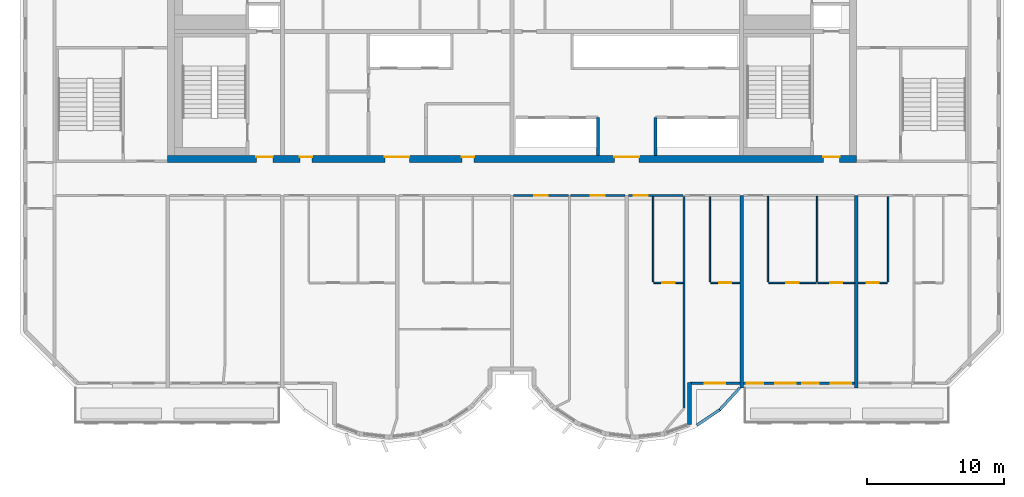
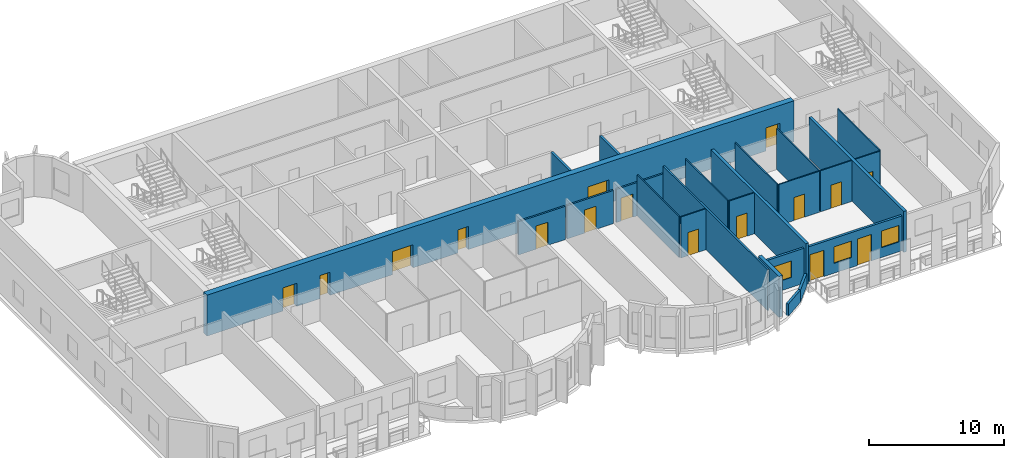
# One storey, part 5 of 12: 24 walls, 16 doors, 3 windows, 19 openings.
"""IFC4 building model written with IfcOpenShell, lengths in metres."""

from ifc_helpers import new_model, si_unit, direction, frame, frame_2d, origin, place, context, subcontext, project, spatial, rectangle, extrude, source, transform, mapped, material, layer, layer_set, type_object, element, fill, save


model = new_model("IFC4")

# Units and contexts
model_context = context("Model", 3, precision=1e-05, world=origin(), true_north=direction((0.0, 1.0)))
body_context = subcontext(model_context, "Body", "Model", "MODEL_VIEW")
ifc_project = project(units=[si_unit("LENGTHUNIT", "METRE"), si_unit("AREAUNIT", "SQUARE_METRE"), si_unit("VOLUMEUNIT", "CUBIC_METRE"), si_unit("PLANEANGLEUNIT", "RADIAN"), si_unit("MASSUNIT", "GRAM", prefix="KILO")], contexts=[model_context])

# Site, building, storey
site_placement = place(None, origin())
site = spatial("IfcSite", under=ifc_project, at=site_placement, CompositionType="ELEMENT")
building_placement = place(site_placement, origin())
building = spatial("IfcBuilding", under=site, at=building_placement, Name="Vanashikhar Sky Hotel", CompositionType="ELEMENT")
storey_placement = place(building_placement, frame((0.0, 0.0, 313.699951171875)))
storey = spatial("IfcBuildingStorey", under=building, at=storey_placement, Name="L75", CompositionType="ELEMENT", Elevation=313.699951171875)

# Wall, openings, doors
ifc_material_1 = material(Name="Concrete M50", Category="concrete")
ifc_layer_1 = layer(ifc_material_1, 0.5)
ifc_layer_set_1 = layer_set([ifc_layer_1], Name="RC core shell wall 500 Concrete M50")
wall_type_1 = type_object("IfcWallType", Name="RC core shell wall 500 Concrete M50", PredefinedType="SHEAR", material=ifc_layer_set_1)
shared_shape_1 = source(origin(), body_context, "Body", "SweptSolid", [
    extrude(rectangle(XDim=50.400146484375, YDim=0.5, at=frame_2d((25.2001953125, 0.0))), origin(), (0.0, 0.0, 1.0), 3.719970703125),
])
wall_1_placement = place(storey_placement, frame((25.199951171875, 22.25, 0.0), z_axis=(0.0, 0.0, 1.0), x_axis=(1.0, 0.0, 0.0)))
wall_1 = element("IfcWall", 1, at=wall_1_placement, inside=storey, type_object=wall_type_1, Name="KW-L75-KS", PredefinedType="SHEAR", context=body_context, shape_type="MappedRepresentation", body=[
    mapped(shared_shape_1, transform((0.0, 0.0, 0.0), scale=1.0)),
])
shared_shape_2 = source(origin(), body_context, "Body", "SweptSolid", [
    extrude(rectangle(XDim=1.800048828125, YDim=2.10009765625, at=frame_2d((0.89990234375, 1.050048828125))), frame((0.0, 0.260009765625, 0.0), z_axis=(0.0, -1.0, 0.0), x_axis=(1.0, 0.0, 0.0)), (0.0, 0.0, 1.0), 0.52001953125),
])
opening_1_placement = place(wall_1_placement, frame((15.89990234375, 0.0, 0.0)))
opening_1 = element("IfcOpeningElement", 2, at=opening_1_placement, cuts=wall_1, Name="Opening DC-3-A", PredefinedType="OPENING", context=body_context, shape_type="MappedRepresentation", body=[
    mapped(shared_shape_2, transform((0.0, 0.0, 0.0), scale=1.0)),
])
shared_shape_3 = source(origin(), body_context, "Body", "SweptSolid", [
    extrude(rectangle(XDim=0.89990234375, YDim=2.10009765625, at=frame_2d((0.449951171875, 1.050048828125))), frame((0.0, 0.260009765625, 0.0), z_axis=(0.0, -1.0, 0.0), x_axis=(1.0, 0.0, 0.0)), (0.0, 0.0, 1.0), 0.52001953125),
])
opening_2_placement = place(wall_1_placement, frame((9.675048828125, 0.0, 0.0)))
opening_2 = element("IfcOpeningElement", 3, at=opening_2_placement, cuts=wall_1, Name="Opening DC-4-A", PredefinedType="OPENING", context=body_context, shape_type="MappedRepresentation", body=[
    mapped(shared_shape_3, transform((0.0, 0.0, 0.0), scale=1.0)),
])
opening_3_placement = place(wall_1_placement, frame((21.52490234375, 0.0, 0.0)))
opening_3 = element("IfcOpeningElement", 4, at=opening_3_placement, cuts=wall_1, Name="Opening DC-4-A", PredefinedType="OPENING", context=body_context, shape_type="MappedRepresentation", body=[
    mapped(shared_shape_3, transform((0.0, 0.0, 0.0), scale=1.0)),
])
opening_4_placement = place(wall_1_placement, frame((32.699951171875, 0.0, 0.0)))
opening_4 = element("IfcOpeningElement", 5, at=opening_4_placement, cuts=wall_1, Name="Opening DC-3-A", PredefinedType="OPENING", context=body_context, shape_type="MappedRepresentation", body=[
    mapped(shared_shape_2, transform((0.0, 0.0, 0.0), scale=1.0)),
])
shared_shape_4 = source(origin(), body_context, "Body", "SweptSolid", [
    extrude(rectangle(XDim=1.199951171875, YDim=2.10009765625, at=frame_2d((0.60009765625, 1.050048828125))), frame((0.0, 0.260009765625, 0.0), z_axis=(0.0, -1.0, 0.0), x_axis=(1.0, 0.0, 0.0)), (0.0, 0.0, 1.0), 0.52001953125),
])
opening_5_placement = place(wall_1_placement, frame((6.5, 0.0, 0.0)))
opening_5 = element("IfcOpeningElement", 6, at=opening_5_placement, cuts=wall_1, Name="Opening DC-2", PredefinedType="OPENING", context=body_context, shape_type="MappedRepresentation", body=[
    mapped(shared_shape_4, transform((0.0, 0.0, 0.0), scale=1.0)),
])
opening_6_placement = place(wall_1_placement, frame((47.97509765625, 0.0, 0.0)))
opening_6 = element("IfcOpeningElement", 7, at=opening_6_placement, cuts=wall_1, Name="Opening DC-2", PredefinedType="OPENING", context=body_context, shape_type="MappedRepresentation", body=[
    mapped(shared_shape_4, transform((0.0, 0.0, 0.0), scale=1.0)),
])
ifc_material_2 = material(Name="Steel", Category="steel")
door_type_1 = type_object("IfcDoorType", Name="Firefighting lobby door 1200 FD120", OperationType="NOTDEFINED", PredefinedType="DOOR", material=ifc_material_2)
shared_shape_5 = source(origin(), body_context, "Body", "SweptSolid", [
    extrude(rectangle(XDim=1.199951171875, YDim=2.10009765625, at=frame_2d((0.60009765625, 1.050048828125))), frame((0.0, 0.1748046875, 0.0), z_axis=(0.0, -1.0, 0.0), x_axis=(1.0, 0.0, 0.0)), (0.0, 0.0, 1.0), 0.050048828125),
])
door_1_placement = place(opening_5_placement, origin())
door_1 = element("IfcDoor", 8, at=door_1_placement, inside=storey, type_object=door_type_1, Name="Firefighting lobby door 1200 FD120", OperationType="SINGLE_SWING_RIGHT", OverallHeight=2.10009765625, OverallWidth=1.199951171875, PredefinedType="DOOR", context=body_context, shape_type="MappedRepresentation", body=[
    mapped(shared_shape_5, transform((0.0, 0.0, 0.0), scale=1.0)),
])
fill(opening_5, door_1)
door_2_placement = place(opening_6_placement, origin())
door_2 = element("IfcDoor", 9, at=door_2_placement, inside=storey, type_object=door_type_1, Name="Firefighting lobby door 1200 FD120", OperationType="SINGLE_SWING_LEFT", OverallHeight=2.10009765625, OverallWidth=1.199951171875, PredefinedType="DOOR", context=body_context, shape_type="MappedRepresentation", body=[
    mapped(shared_shape_5, transform((0.0, 0.0, 0.0), scale=1.0)),
])
fill(opening_6, door_2)
door_type_2 = type_object("IfcDoorType", Name="Service door 900 FD60", OperationType="NOTDEFINED", PredefinedType="DOOR", material=ifc_material_2)
shared_shape_6 = source(origin(), body_context, "Body", "SweptSolid", [
    extrude(rectangle(XDim=0.89990234375, YDim=2.10009765625, at=frame_2d((0.449951171875, 1.050048828125))), frame((0.0, 0.1748046875, 0.0), z_axis=(0.0, -1.0, 0.0), x_axis=(1.0, 0.0, 0.0)), (0.0, 0.0, 1.0), 0.050048828125),
])
door_3_placement = place(opening_2_placement, origin())
door_3 = element("IfcDoor", 10, at=door_3_placement, inside=storey, type_object=door_type_2, Name="Service door 900 FD60", OperationType="SINGLE_SWING_RIGHT", OverallHeight=2.10009765625, OverallWidth=0.89990234375, PredefinedType="DOOR", context=body_context, shape_type="MappedRepresentation", body=[
    mapped(shared_shape_6, transform((0.0, 0.0, 0.0), scale=1.0)),
])
fill(opening_2, door_3)
door_4_placement = place(opening_3_placement, origin())
door_4 = element("IfcDoor", 11, at=door_4_placement, inside=storey, type_object=door_type_2, Name="Service door 900 FD60", OperationType="SINGLE_SWING_RIGHT", OverallHeight=2.10009765625, OverallWidth=0.89990234375, PredefinedType="DOOR", context=body_context, shape_type="MappedRepresentation", body=[
    mapped(shared_shape_6, transform((0.0, 0.0, 0.0), scale=1.0)),
])
fill(opening_3, door_4)
ifc_material_3 = material(Name="Glass", Category="glass")
door_type_3 = type_object("IfcDoorType", Name="Lift lobby entrance door 1800 FD30S", OperationType="NOTDEFINED", PredefinedType="DOOR", material=ifc_material_3)
shared_shape_7 = source(origin(), body_context, "Body", "SweptSolid", [
    extrude(rectangle(XDim=1.800048828125, YDim=2.10009765625, at=frame_2d((0.89990234375, 1.050048828125))), frame((0.0, 0.1748046875, 0.0), z_axis=(0.0, -1.0, 0.0), x_axis=(1.0, 0.0, 0.0)), (0.0, 0.0, 1.0), 0.050048828125),
])
door_5_placement = place(opening_1_placement, origin())
door_5 = element("IfcDoor", 12, at=door_5_placement, inside=storey, type_object=door_type_3, Name="Lift lobby entrance door 1800 FD30S", OperationType="DOUBLE_DOOR_SINGLE_SWING", OverallHeight=2.10009765625, OverallWidth=1.800048828125, PredefinedType="DOOR", context=body_context, shape_type="MappedRepresentation", body=[
    mapped(shared_shape_7, transform((0.0, 0.0, 0.0), scale=1.0)),
])
fill(opening_1, door_5)
door_6_placement = place(opening_4_placement, origin())
door_6 = element("IfcDoor", 13, at=door_6_placement, inside=storey, type_object=door_type_3, Name="Lift lobby entrance door 1800 FD30S", OperationType="DOUBLE_DOOR_SINGLE_SWING", OverallHeight=2.10009765625, OverallWidth=1.800048828125, PredefinedType="DOOR", context=body_context, shape_type="MappedRepresentation", body=[
    mapped(shared_shape_7, transform((0.0, 0.0, 0.0), scale=1.0)),
])
fill(opening_4, door_6)

# Walls
ifc_layer_2 = layer(ifc_material_1, 0.25)
ifc_layer_set_2 = layer_set([ifc_layer_2], Name="RC shear wall 250 Concrete M50")
wall_type_2 = type_object("IfcWallType", Name="RC shear wall 250 Concrete M50", PredefinedType="SHEAR", material=ifc_layer_set_2)
shared_shape_8 = source(origin(), body_context, "Body", "SweptSolid", [
    extrude(rectangle(XDim=14.10009765625, YDim=0.25, at=frame_2d((7.050048828125, 0.0))), origin(), (0.0, 0.0, 1.0), 3.719970703125),
])
for number, where, z_axis, x_axis, name in (
    (14, (67.199951171875, 5.5, 0.0), (0.0, 0.0, 1.0), (0.0, 1.0, 0.0), "CW-L75-XW09-1"),
    (15, (75.60009765625, 5.5, 0.0), (0.0, 0.0, 1.0), (0.0, 1.0, 0.0), "CW-L75-XW10-1"),
):
    element("IfcWall", number, at=place(storey_placement, frame(where, z_axis=z_axis, x_axis=x_axis)), inside=storey, type_object=wall_type_2, Name=name, PredefinedType="SHEAR", context=body_context, shape_type="MappedRepresentation", body=[
        mapped(shared_shape_8, transform((0.0, 0.0, 0.0), scale=1.0)),
    ])

# Wall, openings, windows, doors
ifc_layer_3 = layer(ifc_material_1, 0.199951171875)
ifc_layer_set_3 = layer_set([ifc_layer_3], Name="Front window wall 200")
wall_type_3 = type_object("IfcWallType", Name="Front window wall 200", PredefinedType="SOLIDWALL", material=ifc_layer_set_3)
shared_shape_9 = source(origin(), body_context, "Body", "SweptSolid", [
    extrude(rectangle(XDim=8.150146484375, YDim=0.199951171875, at=frame_2d((4.0751953125, 0.0))), origin(), (0.0, 0.0, 1.0), 3.170166015625),
])
wall_2_placement = place(storey_placement, frame((67.324951171875, 5.85009765625, 0.0), z_axis=(0.0, 0.0, 1.0), x_axis=(1.0, 0.0, 0.0)))
wall_2 = element("IfcWall", 16, at=wall_2_placement, inside=storey, type_object=wall_type_3, Name="Front window wall", PredefinedType="SOLIDWALL", context=body_context, shape_type="MappedRepresentation", body=[
    mapped(shared_shape_9, transform((0.0, 0.0, 0.0), scale=1.0)),
])
shared_shape_10 = source(origin(), body_context, "Body", "SweptSolid", [
    extrude(rectangle(XDim=1.199951171875, YDim=2.39990234375, at=frame_2d((0.60009765625, 1.199951171875))), frame((0.0, 0.10986328125, 0.0), z_axis=(0.0, -1.0, 0.0), x_axis=(1.0, 0.0, 0.0)), (0.0, 0.0, 1.0), 0.219970703125),
])
opening_7_placement = place(wall_2_placement, frame((0.25, 0.0, 0.0)))
opening_7 = element("IfcOpeningElement", 17, at=opening_7_placement, cuts=wall_2, Name="Opening BD-03", PredefinedType="OPENING", context=body_context, shape_type="MappedRepresentation", body=[
    mapped(shared_shape_10, transform((0.0, 0.0, 0.0), scale=1.0)),
])
shared_shape_11 = source(origin(), body_context, "Body", "SweptSolid", [
    extrude(rectangle(XDim=1.5, YDim=1.5, at=frame_2d((0.75, 0.75))), frame((0.0, 0.10986328125, 0.0), z_axis=(0.0, -1.0, 0.0), x_axis=(1.0, 0.0, 0.0)), (0.0, 0.0, 1.0), 0.219970703125),
])
opening_8_placement = place(wall_2_placement, frame((2.324951171875, 0.0, 0.89990234375)))
opening_8 = element("IfcOpeningElement", 18, at=opening_8_placement, cuts=wall_2, Name="Opening WN-1", PredefinedType="OPENING", context=body_context, shape_type="MappedRepresentation", body=[
    mapped(shared_shape_11, transform((0.0, 0.0, 0.0), scale=1.0)),
])
opening_9_placement = place(wall_2_placement, frame((4.324951171875, 0.0, 0.0)))
opening_9 = element("IfcOpeningElement", 19, at=opening_9_placement, cuts=wall_2, Name="Opening BD-04", PredefinedType="OPENING", context=body_context, shape_type="MappedRepresentation", body=[
    mapped(shared_shape_10, transform((0.0, 0.0, 0.0), scale=1.0)),
])
opening_10_placement = place(wall_2_placement, frame((6.39990234375, 0.0, 0.89990234375)))
opening_10 = element("IfcOpeningElement", 20, at=opening_10_placement, cuts=wall_2, Name="Opening WN-1", PredefinedType="OPENING", context=body_context, shape_type="MappedRepresentation", body=[
    mapped(shared_shape_11, transform((0.0, 0.0, 0.0), scale=1.0)),
])
window_type = type_object("IfcWindowType", Name="Window 1500 x 1500", PartitioningType="SINGLE_PANEL", PredefinedType="WINDOW", material=ifc_material_3)
shared_shape_12 = source(origin(), body_context, "Body", "SweptSolid", [
    extrude(rectangle(XDim=1.5, YDim=1.5, at=frame_2d((0.75, 0.75))), frame((0.0, 0.030029296875, 0.0), z_axis=(0.0, -1.0, 0.0), x_axis=(1.0, 0.0, 0.0)), (0.0, 0.0, 1.0), 0.06005859375),
])
window_1_placement = place(opening_8_placement, origin())
window_1 = element("IfcWindow", 21, at=window_1_placement, inside=storey, type_object=window_type, Name="Window WN-1", OverallHeight=1.5, OverallWidth=1.5, PartitioningType="SINGLE_PANEL", PredefinedType="WINDOW", context=body_context, shape_type="MappedRepresentation", body=[
    mapped(shared_shape_12, transform((0.0, 0.0, 0.0), scale=1.0)),
])
fill(opening_8, window_1)
window_2_placement = place(opening_10_placement, origin())
window_2 = element("IfcWindow", 22, at=window_2_placement, inside=storey, type_object=window_type, Name="Window WN-1", OverallHeight=1.5, OverallWidth=1.5, PartitioningType="SINGLE_PANEL", PredefinedType="WINDOW", context=body_context, shape_type="MappedRepresentation", body=[
    mapped(shared_shape_12, transform((0.0, 0.0, 0.0), scale=1.0)),
])
fill(opening_10, window_2)
ifc_material_4 = material(Name="Aluminium", Category="aluminium")
door_type_4 = type_object("IfcDoorType", Name="Balcony sliding door 1200 x 2400", OperationType="NOTDEFINED", PredefinedType="DOOR", material=ifc_material_4)
shared_shape_13 = source(origin(), body_context, "Body", "SweptSolid", [
    extrude(rectangle(XDim=1.199951171875, YDim=2.39990234375, at=frame_2d((0.60009765625, 1.199951171875))), frame((0.0, 0.02490234375, 0.0), z_axis=(0.0, -1.0, 0.0), x_axis=(1.0, 0.0, 0.0)), (0.0, 0.0, 1.0), 0.050048828125),
])
door_7_placement = place(opening_7_placement, origin())
door_7 = element("IfcDoor", 23, at=door_7_placement, inside=storey, type_object=door_type_4, Name="Balcony sliding door", OperationType="SLIDING_TO_LEFT", OverallHeight=2.39990234375, OverallWidth=1.199951171875, PredefinedType="DOOR", context=body_context, shape_type="MappedRepresentation", body=[
    mapped(shared_shape_13, transform((0.0, 0.0, 0.0), scale=1.0)),
])
fill(opening_7, door_7)
door_8_placement = place(opening_9_placement, origin())
door_8 = element("IfcDoor", 24, at=door_8_placement, inside=storey, type_object=door_type_4, Name="Balcony sliding door", OperationType="SLIDING_TO_RIGHT", OverallHeight=2.39990234375, OverallWidth=1.199951171875, PredefinedType="DOOR", context=body_context, shape_type="MappedRepresentation", body=[
    mapped(shared_shape_13, transform((0.0, 0.0, 0.0), scale=1.0)),
])
fill(opening_9, door_8)

# Wall, opening, window
shared_shape_14 = source(origin(), body_context, "Body", "SweptSolid", [
    extrude(rectangle(XDim=3.641845703125, YDim=0.199951171875, at=frame_2d((1.82080078125, 0.0))), origin(), (0.0, 0.0, 1.0), 3.170166015625),
])
wall_3_placement = place(storey_placement, frame((63.43310546875, 5.85009765625, 0.0), z_axis=(0.0, 0.0, 1.0), x_axis=(1.0, 0.0, 0.0)))
wall_3 = element("IfcWall", 25, at=wall_3_placement, inside=storey, type_object=wall_type_3, Name="Front window wall", PredefinedType="SOLIDWALL", context=body_context, shape_type="MappedRepresentation", body=[
    mapped(shared_shape_14, transform((0.0, 0.0, 0.0), scale=1.0)),
])
opening_11_placement = place(wall_3_placement, frame((1.071044921875, 0.0, 0.89990234375)))
opening_11 = element("IfcOpeningElement", 26, at=opening_11_placement, cuts=wall_3, Name="Opening WN-1", PredefinedType="OPENING", context=body_context, shape_type="MappedRepresentation", body=[
    mapped(shared_shape_11, transform((0.0, 0.0, 0.0), scale=1.0)),
])
window_3_placement = place(opening_11_placement, origin())
window_3 = element("IfcWindow", 27, at=window_3_placement, inside=storey, type_object=window_type, Name="Window WN-1", OverallHeight=1.5, OverallWidth=1.5, PartitioningType="SINGLE_PANEL", PredefinedType="WINDOW", context=body_context, shape_type="MappedRepresentation", body=[
    mapped(shared_shape_12, transform((0.0, 0.0, 0.0), scale=1.0)),
])
fill(opening_11, window_3)

# Walls
ifc_layer_4 = layer(ifc_material_1, 0.300048828125)
ifc_layer_set_4 = layer_set([ifc_layer_4], Name="Lobe wall 300")
wall_type_4 = type_object("IfcWallType", Name="Lobe wall 300", PredefinedType="SOLIDWALL", material=ifc_layer_set_4)
shared_shape_15 = source(origin(), body_context, "Body", "SweptSolid", [
    extrude(rectangle(XDim=3.063720703125, YDim=0.300048828125, at=frame_2d((1.53173828125, 0.0))), origin(), (0.0, 0.0, 1.0), 3.719970703125),
])
wall_4_placement = place(storey_placement, frame((63.383056640625, 2.836181640625, 0.0), z_axis=(0.0, 0.0, 1.0), x_axis=(0.0, 1.0, 0.0)))
element("IfcWall", 28, at=wall_4_placement, inside=storey, type_object=wall_type_4, Name="Lobe end wall", PredefinedType="SOLIDWALL", context=body_context, shape_type="MappedRepresentation", body=[
    mapped(shared_shape_15, transform((0.0, 0.0, 0.0), scale=1.0)),
])
ifc_layer_5 = layer(ifc_material_1, 0.199951171875)
ifc_layer_set_5 = layer_set([ifc_layer_5], Name="Parapet 200")
wall_type_5 = type_object("IfcWallType", Name="Parapet 200", PredefinedType="PARAPET", material=ifc_layer_set_5)
shared_shape_16 = source(origin(), body_context, "Body", "SweptSolid", [
    extrude(rectangle(XDim=2.021728515625, YDim=0.199951171875, at=frame_2d((1.0107421875, 0.0))), origin(), (0.0, 0.0, 1.0), 1.10009765625),
])
wall_5_placement = place(storey_placement, frame((65.600341796875, 3.904296875, -0.050048828125), z_axis=(0.0, 0.0, 1.0), x_axis=(-0.829589899021, -0.558373172209, 0.0)))
element("IfcWall", 29, at=wall_5_placement, inside=storey, type_object=wall_type_5, Name="Roof parapet", PredefinedType="PARAPET", context=body_context, shape_type="MappedRepresentation", body=[
    mapped(shared_shape_16, transform((0.0, 0.0, 0.0), scale=1.0)),
])
shared_shape_17 = source(origin(), body_context, "Body", "SweptSolid", [
    extrude(rectangle(XDim=2.163818359375, YDim=0.199951171875, at=frame_2d((1.08203125, 0.0))), origin(), (0.0, 0.0, 1.0), 1.10009765625),
])
wall_6_placement = place(storey_placement, frame((67.0615234375, 5.500244140625, -0.050048828125), z_axis=(0.0, 0.0, 1.0), x_axis=(-0.675280003013, -0.737561466951, 0.0)))
element("IfcWall", 30, at=wall_6_placement, inside=storey, type_object=wall_type_5, Name="Roof parapet", PredefinedType="PARAPET", context=body_context, shape_type="MappedRepresentation", body=[
    mapped(shared_shape_17, transform((0.0, 0.0, 0.0), scale=1.0)),
])
ifc_material_5 = material(Name="Concrete M40", Category="concrete")
ifc_layer_6 = layer(ifc_material_5, 0.199951171875)
ifc_layer_set_6 = layer_set([ifc_layer_6], Name="Shaft wall 200")
wall_type_6 = type_object("IfcWallType", Name="Shaft wall 200", PredefinedType="SOLIDWALL", material=ifc_layer_set_6)
shared_shape_18 = source(origin(), body_context, "Body", "SweptSolid", [
    extrude(rectangle(XDim=2.800048828125, YDim=0.199951171875, at=frame_2d((1.39990234375, 0.0))), origin(), (0.0, 0.0, 1.0), 3.719970703125),
])
for number, where, z_axis, x_axis, name in (
    (31, (60.89990234375, 22.5, 0.0), (0.0, 0.0, 1.0), (0.0, 1.0, 0.0), "Shaft wall 200"),
    (32, (56.699951171875, 22.5, 0.0), (0.0, 0.0, 1.0), (0.0, 1.0, 0.0), "Shaft wall 200"),
):
    element("IfcWall", number, at=place(storey_placement, frame(where, z_axis=z_axis, x_axis=x_axis)), inside=storey, type_object=wall_type_6, Name=name, PredefinedType="SOLIDWALL", context=body_context, shape_type="MappedRepresentation", body=[
        mapped(shared_shape_18, transform((0.0, 0.0, 0.0), scale=1.0)),
    ])
ifc_material_6 = material(Name="Gypsum plasterboard partition")
ifc_layer_7 = layer(ifc_material_6, 0.10009765625)
ifc_layer_set_7 = layer_set([ifc_layer_7], Name="Wet room partition 100")
wall_type_7 = type_object("IfcWallType", Name="Wet room partition 100", PredefinedType="PARTITIONING", material=ifc_layer_set_7)
shared_shape_19 = source(origin(), body_context, "Body", "SweptSolid", [
    extrude(rectangle(XDim=6.25, YDim=0.10009765625, at=frame_2d((3.125, 0.0))), origin(), (0.0, 0.0, 1.0), 3.719970703125),
])
for number, where, z_axis, x_axis, name in (
    (33, (60.72509765625, 13.27490234375, 0.0), (0.0, 0.0, 1.0), (0.0, 1.0, 0.0), "W-L75-PW019"),
    (34, (64.875, 13.27490234375, 0.0), (0.0, 0.0, 1.0), (0.0, 1.0, 0.0), "W-L75-PW022"),
    (35, (69.125, 13.27490234375, 0.0), (0.0, 0.0, 1.0), (0.0, 1.0, 0.0), "W-L75-PW026"),
    (36, (72.72509765625, 13.27490234375, 0.0), (0.0, 0.0, 1.0), (0.0, 1.0, 0.0), "W-L75-PW027"),
    (37, (77.925048828125, 13.27490234375, 0.0), (0.0, 0.0, 1.0), (0.0, 1.0, 0.0), "W-L75-PW031"),
):
    element("IfcWall", number, at=place(storey_placement, frame(where, z_axis=z_axis, x_axis=x_axis)), inside=storey, type_object=wall_type_7, Name=name, PredefinedType="PARTITIONING", context=body_context, shape_type="MappedRepresentation", body=[
        mapped(shared_shape_19, transform((0.0, 0.0, 0.0), scale=1.0)),
    ])

# Wall, opening, door
shared_shape_20 = source(origin(), body_context, "Body", "SweptSolid", [
    extrude(rectangle(XDim=3.5, YDim=0.10009765625, at=frame_2d((1.75, 0.0))), origin(), (0.0, 0.0, 1.0), 3.719970703125),
])
wall_7_placement = place(storey_placement, frame((69.175048828125, 13.199951171875, 0.0), z_axis=(0.0, 0.0, 1.0), x_axis=(1.0, 0.0, 0.0)))
wall_7 = element("IfcWall", 38, at=wall_7_placement, inside=storey, type_object=wall_type_7, Name="W-L75-PW028", PredefinedType="PARTITIONING", context=body_context, shape_type="MappedRepresentation", body=[
    mapped(shared_shape_20, transform((0.0, 0.0, 0.0), scale=1.0)),
])
shared_shape_21 = source(origin(), body_context, "Body", "SweptSolid", [
    extrude(rectangle(XDim=0.89990234375, YDim=2.10009765625, at=frame_2d((0.449951171875, 1.050048828125))), frame((0.0, 0.06005859375, 0.0), z_axis=(0.0, -1.0, 0.0), x_axis=(1.0, 0.0, 0.0)), (0.0, 0.0, 1.0), 0.1201171875),
])
opening_12_placement = place(wall_7_placement, frame((1.300048828125, 0.0, 0.0)))
opening_12 = element("IfcOpeningElement", 39, at=opening_12_placement, cuts=wall_7, Name="Opening D-02", PredefinedType="OPENING", context=body_context, shape_type="MappedRepresentation", body=[
    mapped(shared_shape_21, transform((0.0, 0.0, 0.0), scale=1.0)),
])
ifc_material_7 = material(Name="Timber door", Category="wood")
door_type_5 = type_object("IfcDoorType", Name="Internal door 900", OperationType="NOTDEFINED", PredefinedType="DOOR", material=ifc_material_7)
shared_shape_22 = source(origin(), body_context, "Body", "SweptSolid", [
    extrude(rectangle(XDim=0.89990234375, YDim=2.10009765625, at=frame_2d((0.449951171875, 1.050048828125))), frame((0.0, 0.02490234375, 0.0), z_axis=(0.0, -1.0, 0.0), x_axis=(1.0, 0.0, 0.0)), (0.0, 0.0, 1.0), 0.050048828125),
])
door_9_placement = place(opening_12_placement, origin())
door_9 = element("IfcDoor", 40, at=door_9_placement, inside=storey, type_object=door_type_5, Name="D-L75-017", OperationType="SINGLE_SWING_LEFT", OverallHeight=2.10009765625, OverallWidth=0.89990234375, PredefinedType="DOOR", context=body_context, shape_type="MappedRepresentation", body=[
    mapped(shared_shape_22, transform((0.0, 0.0, 0.0), scale=1.0)),
])
fill(opening_12, door_9)

shared_shape_23 = source(origin(), body_context, "Body", "SweptSolid", [
    extrude(rectangle(XDim=2.7001953125, YDim=0.10009765625, at=frame_2d((1.35009765625, 0.0))), origin(), (0.0, 0.0, 1.0), 3.719970703125),
])
wall_8_placement = place(storey_placement, frame((72.77490234375, 13.199951171875, 0.0), z_axis=(0.0, 0.0, 1.0), x_axis=(1.0, 0.0, 0.0)))
wall_8 = element("IfcWall", 41, at=wall_8_placement, inside=storey, type_object=wall_type_7, Name="W-L75-PW029", PredefinedType="PARTITIONING", context=body_context, shape_type="MappedRepresentation", body=[
    mapped(shared_shape_23, transform((0.0, 0.0, 0.0), scale=1.0)),
])
opening_13_placement = place(wall_8_placement, frame((0.89990234375, 0.0, 0.0)))
opening_13 = element("IfcOpeningElement", 42, at=opening_13_placement, cuts=wall_8, Name="Opening D-02", PredefinedType="OPENING", context=body_context, shape_type="MappedRepresentation", body=[
    mapped(shared_shape_21, transform((0.0, 0.0, 0.0), scale=1.0)),
])
door_10_placement = place(opening_13_placement, origin())
door_10 = element("IfcDoor", 43, at=door_10_placement, inside=storey, type_object=door_type_5, Name="D-L75-018", OperationType="SINGLE_SWING_LEFT", OverallHeight=2.10009765625, OverallWidth=0.89990234375, PredefinedType="DOOR", context=body_context, shape_type="MappedRepresentation", body=[
    mapped(shared_shape_22, transform((0.0, 0.0, 0.0), scale=1.0)),
])
fill(opening_13, door_10)

ifc_layer_8 = layer(ifc_material_6, 0.14990234375)
ifc_layer_set_8 = layer_set([ifc_layer_8], Name="Corridor and demising partition 150")
wall_type_8 = type_object("IfcWallType", Name="Corridor and demising partition 150", PredefinedType="PARTITIONING", material=ifc_layer_set_8)
shared_shape_24 = source(origin(), body_context, "Body", "SweptSolid", [
    extrude(rectangle(XDim=4.0, YDim=0.14990234375, at=frame_2d((2.0, 0.0))), origin(), (0.0, 0.0, 1.0), 3.02001953125),
])
wall_9_placement = place(storey_placement, frame((50.52490234375, 19.60009765625, 0.0), z_axis=(0.0, 0.0, 1.0), x_axis=(1.0, 0.0, 0.0)))
wall_9 = element("IfcWall", 44, at=wall_9_placement, inside=storey, type_object=wall_type_8, Name="W-L75-PW016", PredefinedType="PARTITIONING", context=body_context, shape_type="MappedRepresentation", body=[
    mapped(shared_shape_24, transform((0.0, 0.0, 0.0), scale=1.0)),
])
shared_shape_25 = source(origin(), body_context, "Body", "SweptSolid", [
    extrude(rectangle(XDim=1.0, YDim=2.10009765625, at=frame_2d((0.5, 1.050048828125))), frame((0.0, 0.0849609375, 0.0), z_axis=(0.0, -1.0, 0.0), x_axis=(1.0, 0.0, 0.0)), (0.0, 0.0, 1.0), 0.169921875),
])
opening_14_placement = place(wall_9_placement, frame((1.5, 0.0, 0.0)))
opening_14 = element("IfcOpeningElement", 45, at=opening_14_placement, cuts=wall_9, Name="Opening D-01", PredefinedType="OPENING", context=body_context, shape_type="MappedRepresentation", body=[
    mapped(shared_shape_25, transform((0.0, 0.0, 0.0), scale=1.0)),
])
ifc_material_8 = material(Name="Timber fire door", Category="wood")
door_type_6 = type_object("IfcDoorType", Name="Guest entry door 1000 FD30S", OperationType="NOTDEFINED", PredefinedType="DOOR", material=ifc_material_8)
shared_shape_26 = source(origin(), body_context, "Body", "SweptSolid", [
    extrude(rectangle(XDim=1.0, YDim=2.10009765625, at=frame_2d((0.5, 1.050048828125))), frame((0.0, 0.02490234375, 0.0), z_axis=(0.0, -1.0, 0.0), x_axis=(1.0, 0.0, 0.0)), (0.0, 0.0, 1.0), 0.050048828125),
])
door_11_placement = place(opening_14_placement, origin())
door_11 = element("IfcDoor", 46, at=door_11_placement, inside=storey, type_object=door_type_6, Name="D-L75-011", OperationType="SINGLE_SWING_LEFT", OverallHeight=2.10009765625, OverallWidth=1.0, PredefinedType="DOOR", context=body_context, shape_type="MappedRepresentation", body=[
    mapped(shared_shape_26, transform((0.0, 0.0, 0.0), scale=1.0)),
])
fill(opening_14, door_11)

wall_10_placement = place(storey_placement, frame((54.675048828125, 19.60009765625, 0.0), z_axis=(0.0, 0.0, 1.0), x_axis=(1.0, 0.0, 0.0)))
wall_10 = element("IfcWall", 47, at=wall_10_placement, inside=storey, type_object=wall_type_8, Name="W-L75-PW017", PredefinedType="PARTITIONING", context=body_context, shape_type="MappedRepresentation", body=[
    mapped(shared_shape_24, transform((0.0, 0.0, 0.0), scale=1.0)),
])
opening_15_placement = place(wall_10_placement, frame((1.5, 0.0, 0.0)))
opening_15 = element("IfcOpeningElement", 48, at=opening_15_placement, cuts=wall_10, Name="Opening D-01", PredefinedType="OPENING", context=body_context, shape_type="MappedRepresentation", body=[
    mapped(shared_shape_25, transform((0.0, 0.0, 0.0), scale=1.0)),
])
door_12_placement = place(opening_15_placement, origin())
door_12 = element("IfcDoor", 49, at=door_12_placement, inside=storey, type_object=door_type_6, Name="D-L75-012", OperationType="SINGLE_SWING_RIGHT", OverallHeight=2.10009765625, OverallWidth=1.0, PredefinedType="DOOR", context=body_context, shape_type="MappedRepresentation", body=[
    mapped(shared_shape_26, transform((0.0, 0.0, 0.0), scale=1.0)),
])
fill(opening_15, door_12)

wall_11_placement = place(storey_placement, frame((58.925048828125, 19.60009765625, 0.0), z_axis=(0.0, 0.0, 1.0), x_axis=(1.0, 0.0, 0.0)))
wall_11 = element("IfcWall", 50, at=wall_11_placement, inside=storey, type_object=wall_type_8, Name="W-L75-PW021", PredefinedType="PARTITIONING", context=body_context, shape_type="MappedRepresentation", body=[
    mapped(shared_shape_24, transform((0.0, 0.0, 0.0), scale=1.0)),
])
opening_16_placement = place(wall_11_placement, frame((0.39990234375, 0.0, 0.0)))
opening_16 = element("IfcOpeningElement", 51, at=opening_16_placement, cuts=wall_11, Name="Opening D-01", PredefinedType="OPENING", context=body_context, shape_type="MappedRepresentation", body=[
    mapped(shared_shape_25, transform((0.0, 0.0, 0.0), scale=1.0)),
])
door_13_placement = place(opening_16_placement, origin())
door_13 = element("IfcDoor", 52, at=door_13_placement, inside=storey, type_object=door_type_6, Name="D-L75-014", OperationType="SINGLE_SWING_LEFT", OverallHeight=2.10009765625, OverallWidth=1.0, PredefinedType="DOOR", context=body_context, shape_type="MappedRepresentation", body=[
    mapped(shared_shape_26, transform((0.0, 0.0, 0.0), scale=1.0)),
])
fill(opening_16, door_13)

# Wall
shared_shape_27 = source(origin(), body_context, "Body", "SweptSolid", [
    extrude(rectangle(XDim=15.497802734375, YDim=0.14990234375, at=frame_2d((7.7490234375, 0.0))), origin(), (0.0, 0.0, 1.0), 3.719970703125),
])
wall_12_placement = place(storey_placement, frame((63.0, 4.027099609375, 0.0), z_axis=(0.0, 0.0, 1.0), x_axis=(0.0, 1.0, 0.0)))
element("IfcWall", 53, at=wall_12_placement, inside=storey, type_object=wall_type_8, Name="W-L75-PW025", PredefinedType="PARTITIONING", context=body_context, shape_type="MappedRepresentation", body=[
    mapped(shared_shape_27, transform((0.0, 0.0, 0.0), scale=1.0)),
])

# Wall, opening, door
shared_shape_28 = source(origin(), body_context, "Body", "SweptSolid", [
    extrude(rectangle(XDim=2.150146484375, YDim=0.10009765625, at=frame_2d((1.0751953125, 0.0))), origin(), (0.0, 0.0, 1.0), 3.719970703125),
])
wall_13_placement = place(storey_placement, frame((60.77490234375, 13.199951171875, 0.0), z_axis=(0.0, 0.0, 1.0), x_axis=(1.0, 0.0, 0.0)))
wall_13 = element("IfcWall", 54, at=wall_13_placement, inside=storey, type_object=wall_type_7, Name="W-L75-PW020", PredefinedType="PARTITIONING", context=body_context, shape_type="MappedRepresentation", body=[
    mapped(shared_shape_28, transform((0.0, 0.0, 0.0), scale=1.0)),
])
opening_17_placement = place(wall_13_placement, frame((0.625, 0.0, 0.0)))
opening_17 = element("IfcOpeningElement", 55, at=opening_17_placement, cuts=wall_13, Name="Opening D-02", PredefinedType="OPENING", context=body_context, shape_type="MappedRepresentation", body=[
    mapped(shared_shape_21, transform((0.0, 0.0, 0.0), scale=1.0)),
])
door_14_placement = place(opening_17_placement, origin())
door_14 = element("IfcDoor", 56, at=door_14_placement, inside=storey, type_object=door_type_5, Name="D-L75-013", OperationType="SINGLE_SWING_LEFT", OverallHeight=2.10009765625, OverallWidth=0.89990234375, PredefinedType="DOOR", context=body_context, shape_type="MappedRepresentation", body=[
    mapped(shared_shape_22, transform((0.0, 0.0, 0.0), scale=1.0)),
])
fill(opening_17, door_14)

shared_shape_29 = source(origin(), body_context, "Body", "SweptSolid", [
    extrude(rectangle(XDim=2.14990234375, YDim=0.10009765625, at=frame_2d((1.074951171875, 0.0))), origin(), (0.0, 0.0, 1.0), 3.719970703125),
])
wall_14_placement = place(storey_placement, frame((64.925048828125, 13.199951171875, 0.0), z_axis=(0.0, 0.0, 1.0), x_axis=(1.0, 0.0, 0.0)))
wall_14 = element("IfcWall", 57, at=wall_14_placement, inside=storey, type_object=wall_type_7, Name="W-L75-PW023", PredefinedType="PARTITIONING", context=body_context, shape_type="MappedRepresentation", body=[
    mapped(shared_shape_29, transform((0.0, 0.0, 0.0), scale=1.0)),
])
opening_18_placement = place(wall_14_placement, frame((0.625, 0.0, 0.0)))
opening_18 = element("IfcOpeningElement", 58, at=opening_18_placement, cuts=wall_14, Name="Opening D-02", PredefinedType="OPENING", context=body_context, shape_type="MappedRepresentation", body=[
    mapped(shared_shape_21, transform((0.0, 0.0, 0.0), scale=1.0)),
])
door_15_placement = place(opening_18_placement, origin())
door_15 = element("IfcDoor", 59, at=door_15_placement, inside=storey, type_object=door_type_5, Name="D-L75-015", OperationType="SINGLE_SWING_LEFT", OverallHeight=2.10009765625, OverallWidth=0.89990234375, PredefinedType="DOOR", context=body_context, shape_type="MappedRepresentation", body=[
    mapped(shared_shape_22, transform((0.0, 0.0, 0.0), scale=1.0)),
])
fill(opening_18, door_15)

wall_15_placement = place(storey_placement, frame((75.72509765625, 13.199951171875, 0.0), z_axis=(0.0, 0.0, 1.0), x_axis=(1.0, 0.0, 0.0)))
wall_15 = element("IfcWall", 60, at=wall_15_placement, inside=storey, type_object=wall_type_7, Name="W-L75-PW032", PredefinedType="PARTITIONING", context=body_context, shape_type="MappedRepresentation", body=[
    mapped(shared_shape_29, transform((0.0, 0.0, 0.0), scale=1.0)),
])
opening_19_placement = place(wall_15_placement, frame((0.625, 0.0, 0.0)))
opening_19 = element("IfcOpeningElement", 61, at=opening_19_placement, cuts=wall_15, Name="Opening D-02", PredefinedType="OPENING", context=body_context, shape_type="MappedRepresentation", body=[
    mapped(shared_shape_21, transform((0.0, 0.0, 0.0), scale=1.0)),
])
door_16_placement = place(opening_19_placement, origin())
door_16 = element("IfcDoor", 62, at=door_16_placement, inside=storey, type_object=door_type_5, Name="D-L75-020", OperationType="SINGLE_SWING_RIGHT", OverallHeight=2.10009765625, OverallWidth=0.89990234375, PredefinedType="DOOR", context=body_context, shape_type="MappedRepresentation", body=[
    mapped(shared_shape_22, transform((0.0, 0.0, 0.0), scale=1.0)),
])
fill(opening_19, door_16)

save(model, "model.ifc")
